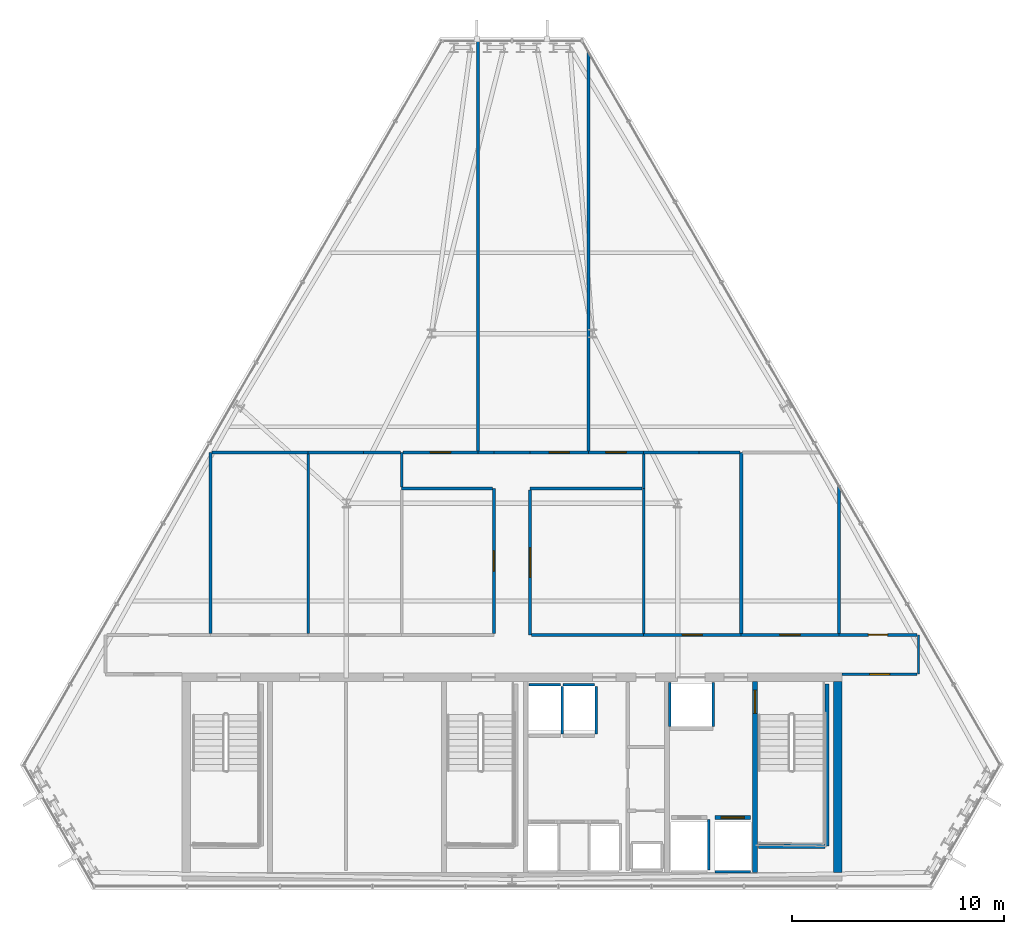
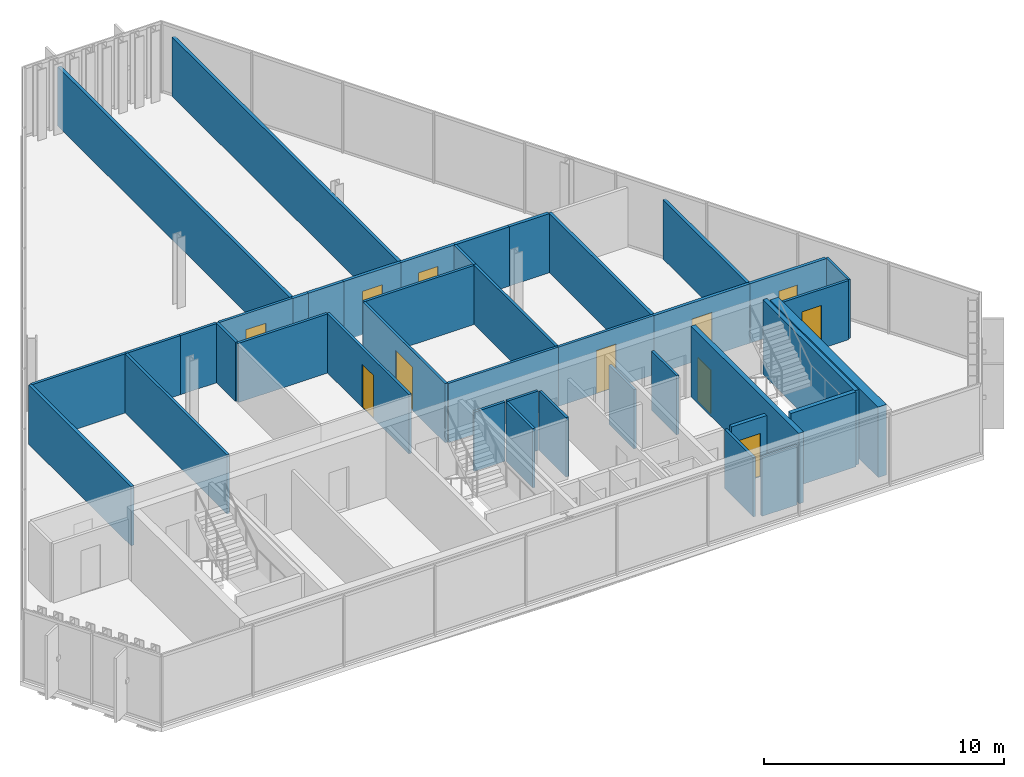
# One storey, part 25 of 29: 42 walls, 11 doors, 11 openings.
"""IFC4 building model written with IfcOpenShell, lengths in metres."""

from ifc_helpers import new_model, si_unit, direction, frame, frame_2d, origin, place, context, subcontext, project, spatial, rectangle, extrude, material, layer, layer_set, type_object, element, fill, save


model = new_model("IFC4")

# Units and contexts
model_context = context("Model", 3, precision=1e-05, world=origin(), true_north=direction((0.0, 1.0)))
body_context = subcontext(model_context, "Body", "Model", "MODEL_VIEW")
ifc_project = project(units=[si_unit("LENGTHUNIT", "METRE"), si_unit("AREAUNIT", "SQUARE_METRE"), si_unit("VOLUMEUNIT", "CUBIC_METRE"), si_unit("PLANEANGLEUNIT", "RADIAN"), si_unit("MASSUNIT", "GRAM", prefix="KILO")], contexts=[model_context])

# Site, building, storey
site_placement = place(None, origin())
site = spatial("IfcSite", under=ifc_project, at=site_placement, CompositionType="ELEMENT")
building_placement = place(site_placement, origin())
building = spatial("IfcBuilding", under=site, at=building_placement, Name="Ndaravel Arena Tower", CompositionType="ELEMENT")
storey_placement = place(building_placement, frame((0.0, 0.0, 244.60009765625)))
storey = spatial("IfcBuildingStorey", under=building, at=storey_placement, Name="L59", CompositionType="ELEMENT", Elevation=244.60009765625)

# Wall, opening, door
ifc_material_1 = material(Name="Concrete C50/60", Category="concrete")
ifc_layer_1 = layer(ifc_material_1, 0.219970703125)
ifc_layer_set_1 = layer_set([ifc_layer_1], Name="Concrete C50/60")
wall_type_1 = type_object("IfcWallType", Name="WALL-CORE-220", PredefinedType="SOLIDWALL", material=ifc_layer_set_1)
wall_1_placement = place(storey_placement, frame((53.449951171875, 5.800048828125, 0.0), z_axis=(0.0, 0.0, 1.0), x_axis=(0.0, 1.0, 0.0)))
wall_1 = element("IfcWall", 1, at=wall_1_placement, inside=storey, type_object=wall_type_1, Name="L59 Core Web Shear Wall 5", PredefinedType="SOLIDWALL", context=body_context, shape_type="SweptSolid", body=[
    extrude(rectangle(XDim=9.0, YDim=0.219970703125, at=frame_2d((4.5, 0.0))), origin(), (0.0, 0.0, 1.0), 3.579833984375),
])
opening_1_placement = place(wall_1_placement, frame((7.5, 0.0, 0.0)))
opening_1 = element("IfcOpeningElement", 2, at=opening_1_placement, cuts=wall_1, Name="Opening FD-01", PredefinedType="OPENING", context=body_context, shape_type="SweptSolid", body=[
    extrude(rectangle(XDim=1.10009765625, YDim=2.199951171875, at=frame_2d((0.550048828125, 1.10009765625))), frame((0.0, 0.10986328125, 0.0), z_axis=(0.0, -1.0, 0.0), x_axis=(1.0, 0.0, 0.0)), (0.0, 0.0, 1.0), 0.219970703125),
])
ifc_material_2 = material(Name="Steel S355", Category="steel")
door_type_1 = type_object("IfcDoorType", Name="DT-01-STAIR-1100", OperationType="SINGLE_SWING_LEFT", PredefinedType="DOOR", material=ifc_material_2)
door_1_placement = place(opening_1_placement, origin())
door_1 = element("IfcDoor", 3, at=door_1_placement, inside=storey, type_object=door_type_1, Name="L59 Firefighting Lobby to ST-3 Door", OperationType="SINGLE_SWING_LEFT", OverallHeight=2.199951171875, OverallWidth=1.10009765625, PredefinedType="DOOR", context=body_context, shape_type="SweptSolid", body=[
    extrude(rectangle(XDim=1.10009765625, YDim=2.199951171875, at=frame_2d((0.550048828125, 1.10009765625))), frame((0.0, 0.02490234375, 0.0), z_axis=(0.0, -1.0, 0.0), x_axis=(1.0, 0.0, 0.0)), (0.0, 0.0, 1.0), 0.050048828125),
])
fill(opening_1, door_1)

# Walls
ifc_material_3 = material(Name="Concrete C50/60", Category="concrete")
ifc_layer_2 = layer(ifc_material_3, 0.39990234375)
ifc_layer_set_2 = layer_set([ifc_layer_2], Name="Concrete C50/60")
wall_type_2 = type_object("IfcWallType", Name="WALL-CORE-400", PredefinedType="SOLIDWALL", material=ifc_layer_set_2)
wall_2_placement = place(storey_placement, frame((57.35009765625, 5.800048828125, 0.0), z_axis=(0.0, 0.0, 1.0), x_axis=(0.0, 1.0, 0.0)))
element("IfcWall", 4, at=wall_2_placement, inside=storey, type_object=wall_type_2, Name="L59 Core East Shear Wall", PredefinedType="SOLIDWALL", context=body_context, shape_type="SweptSolid", body=[
    extrude(rectangle(XDim=9.0, YDim=0.39990234375, at=frame_2d((4.5, 0.0))), origin(), (0.0, 0.0, 1.0), 3.579833984375),
])
ifc_material_4 = material(Name="Timber", Category="wood")
ifc_layer_3 = layer(ifc_material_4, 0.10009765625)
ifc_layer_set_3 = layer_set([ifc_layer_3], Name="Timber")
wall_type_3 = type_object("IfcWallType", Name="WALL-MOVABLE-100", PredefinedType="MOVABLE", material=ifc_layer_set_3)
wall_3_placement = place(storey_placement, frame((61.154052734375, 17.0, 0.0), z_axis=(0.0, 0.0, 1.0), x_axis=(0.0, -1.0, 0.0)))
element("IfcWall", 5, at=wall_3_placement, inside=storey, type_object=wall_type_3, Name="L59 Interior Partition 001", PredefinedType="MOVABLE", context=body_context, shape_type="SweptSolid", body=[
    extrude(rectangle(XDim=1.85009765625, YDim=0.10009765625, at=frame_2d((0.925048828125, 0.0))), origin(), (0.0, 0.0, 1.0), 3.010498046875),
])

# Wall, opening, door
ifc_material_5 = material(Name="Gypsum", Category="gypsum")
ifc_layer_4 = layer(ifc_material_5, 0.125)
ifc_layer_set_4 = layer_set([ifc_layer_4], Name="Gypsum")
wall_type_4 = type_object("IfcWallType", Name="WALL-PART-125", PredefinedType="PARTITIONING", material=ifc_layer_set_4)
wall_4_placement = place(storey_placement, frame((61.089111328125, 15.14990234375, 0.0), z_axis=(0.0, 0.0, 1.0), x_axis=(-1.0, 0.0, 0.0)))
wall_4 = element("IfcWall", 6, at=wall_4_placement, inside=storey, type_object=wall_type_4, Name="L59 Interior Partition 002", PredefinedType="PARTITIONING", context=body_context, shape_type="SweptSolid", body=[
    extrude(rectangle(XDim=3.5390625, YDim=0.125, at=frame_2d((1.76953125, 0.0))), origin(), (0.0, 0.0, 1.0), 3.010498046875),
])
opening_2_placement = place(wall_4_placement, frame((1.29443359375, 0.0, 0.0)))
opening_2 = element("IfcOpeningElement", 7, at=opening_2_placement, cuts=wall_4, Name="Opening ID-01", PredefinedType="OPENING", context=body_context, shape_type="SweptSolid", body=[
    extrude(rectangle(XDim=0.949951171875, YDim=2.199951171875, at=frame_2d((0.47509765625, 1.10009765625))), frame((0.0, 0.0625, 0.0), z_axis=(0.0, -1.0, 0.0), x_axis=(1.0, 0.0, 0.0)), (0.0, 0.0, 1.0), 0.125),
])
ifc_material_6 = material(Name="Timber", Category="wood")
door_type_2 = type_object("IfcDoorType", Name="DT-03-OFFICE-950", OperationType="SINGLE_SWING_LEFT", PredefinedType="DOOR", material=ifc_material_6)
door_2_placement = place(opening_2_placement, origin())
door_2 = element("IfcDoor", 8, at=door_2_placement, inside=storey, type_object=door_type_2, Name="L59 Quiet Reading Library Door", OperationType="SINGLE_SWING_LEFT", OverallHeight=2.199951171875, OverallWidth=0.949951171875, PredefinedType="DOOR", context=body_context, shape_type="SweptSolid", body=[
    extrude(rectangle(XDim=0.949951171875, YDim=2.199951171875, at=frame_2d((0.47509765625, 1.10009765625))), frame((0.0, 0.02490234375, 0.0), z_axis=(0.0, -1.0, 0.0), x_axis=(1.0, 0.0, 0.0)), (0.0, 0.0, 1.0), 0.050048828125),
])
fill(opening_2, door_2)

wall_5_placement = place(storey_placement, frame((41.14990234375, 17.06494140625, 0.0), z_axis=(0.0, 0.0, 1.0), x_axis=(0.0, 1.0, 0.0)))
wall_5 = element("IfcWall", 9, at=wall_5_placement, inside=storey, type_object=wall_type_4, Name="L59 Interior Partition 009", PredefinedType="PARTITIONING", context=body_context, shape_type="SweptSolid", body=[
    extrude(rectangle(XDim=6.8349609375, YDim=0.125, at=frame_2d((3.41748046875, 0.0))), origin(), (0.0, 0.0, 1.0), 3.010498046875),
])
opening_3_placement = place(wall_5_placement, frame((2.9423828125, 0.0, 0.0)))
opening_3 = element("IfcOpeningElement", 10, at=opening_3_placement, cuts=wall_5, Name="Opening ID-01", PredefinedType="OPENING", context=body_context, shape_type="SweptSolid", body=[
    extrude(rectangle(XDim=0.949951171875, YDim=2.199951171875, at=frame_2d((0.47509765625, 1.10009765625))), frame((0.0, 0.0625, 0.0), z_axis=(0.0, -1.0, 0.0), x_axis=(1.0, 0.0, 0.0)), (0.0, 0.0, 1.0), 0.125),
])
door_3_placement = place(opening_3_placement, origin())
door_3 = element("IfcDoor", 11, at=door_3_placement, inside=storey, type_object=door_type_2, Name="L59 Open Plan Workplace Door", OperationType="SINGLE_SWING_RIGHT", OverallHeight=2.199951171875, OverallWidth=0.949951171875, PredefinedType="DOOR", context=body_context, shape_type="SweptSolid", body=[
    extrude(rectangle(XDim=0.949951171875, YDim=2.199951171875, at=frame_2d((0.47509765625, 1.10009765625))), frame((0.0, 0.02490234375, 0.0), z_axis=(0.0, -1.0, 0.0), x_axis=(1.0, 0.0, 0.0)), (0.0, 0.0, 1.0), 0.050048828125),
])
fill(opening_3, door_3)

# Walls
wall_6_placement = place(storey_placement, frame((41.0849609375, 23.89990234375, 0.0), z_axis=(0.0, 0.0, 1.0), x_axis=(-1.0, 0.0, 0.0)))
element("IfcWall", 12, at=wall_6_placement, inside=storey, type_object=wall_type_4, Name="L59 Interior Partition 010", PredefinedType="PARTITIONING", context=body_context, shape_type="SweptSolid", body=[
    extrude(rectangle(XDim=4.284912109375, YDim=0.125, at=frame_2d((2.142578125, 0.0))), origin(), (0.0, 0.0, 1.0), 3.010498046875),
])
wall_7_placement = place(storey_placement, frame((36.800048828125, 23.965087890625, 0.0), z_axis=(0.0, 0.0, 1.0), x_axis=(0.0, 1.0, 0.0)))
element("IfcWall", 13, at=wall_7_placement, inside=storey, type_object=wall_type_4, Name="L59 Interior Partition 011", PredefinedType="PARTITIONING", context=body_context, shape_type="SweptSolid", body=[
    extrude(rectangle(XDim=1.635009765625, YDim=0.125, at=frame_2d((0.8173828125, 0.0))), origin(), (0.0, 0.0, 1.0), 3.010498046875),
])

# Wall, opening, door
wall_8_placement = place(storey_placement, frame((36.864990234375, 25.60009765625, 0.0), z_axis=(0.0, 0.0, 1.0), x_axis=(1.0, 0.0, 0.0)))
wall_8 = element("IfcWall", 14, at=wall_8_placement, inside=storey, type_object=wall_type_4, Name="L59 Interior Partition 012", PredefinedType="PARTITIONING", context=body_context, shape_type="SweptSolid", body=[
    extrude(rectangle(XDim=3.534912109375, YDim=0.125, at=frame_2d((1.767578125, 0.0))), origin(), (0.0, 0.0, 1.0), 3.010498046875),
])
opening_4_placement = place(wall_8_placement, frame((1.29248046875, 0.0, 0.0)))
opening_4 = element("IfcOpeningElement", 15, at=opening_4_placement, cuts=wall_8, Name="Opening ID-01", PredefinedType="OPENING", context=body_context, shape_type="SweptSolid", body=[
    extrude(rectangle(XDim=0.949951171875, YDim=2.199951171875, at=frame_2d((0.47509765625, 1.10009765625))), frame((0.0, 0.0625, 0.0), z_axis=(0.0, -1.0, 0.0), x_axis=(1.0, 0.0, 0.0)), (0.0, 0.0, 1.0), 0.125),
])
door_4_placement = place(opening_4_placement, origin())
door_4 = element("IfcDoor", 16, at=door_4_placement, inside=storey, type_object=door_type_2, Name="L59 Design Workshop 4 Door", OperationType="SINGLE_SWING_LEFT", OverallHeight=2.199951171875, OverallWidth=0.949951171875, PredefinedType="DOOR", context=body_context, shape_type="SweptSolid", body=[
    extrude(rectangle(XDim=0.949951171875, YDim=2.199951171875, at=frame_2d((0.47509765625, 1.10009765625))), frame((0.0, 0.02490234375, 0.0), z_axis=(0.0, -1.0, 0.0), x_axis=(1.0, 0.0, 0.0)), (0.0, 0.0, 1.0), 0.050048828125),
])
fill(opening_4, door_4)

# Walls
wall_9_placement = place(storey_placement, frame((48.199951171875, 25.534912109375, 0.0), z_axis=(0.0, 0.0, 1.0), x_axis=(0.0, -1.0, 0.0)))
element("IfcWall", 17, at=wall_9_placement, inside=storey, type_object=wall_type_4, Name="L59 Interior Partition 017", PredefinedType="PARTITIONING", context=body_context, shape_type="SweptSolid", body=[
    extrude(rectangle(XDim=1.635009765625, YDim=0.125, at=frame_2d((0.8173828125, 0.0))), origin(), (0.0, 0.0, 1.0), 3.010498046875),
])
wall_10_placement = place(storey_placement, frame((48.135009765625, 23.89990234375, 0.0), z_axis=(0.0, 0.0, 1.0), x_axis=(-1.0, 0.0, 0.0)))
element("IfcWall", 18, at=wall_10_placement, inside=storey, type_object=wall_type_4, Name="L59 Interior Partition 018", PredefinedType="PARTITIONING", context=body_context, shape_type="SweptSolid", body=[
    extrude(rectangle(XDim=5.284912109375, YDim=0.125, at=frame_2d((2.642578125, 0.0))), origin(), (0.0, 0.0, 1.0), 3.010498046875),
])

# Wall, opening, door
wall_11_placement = place(storey_placement, frame((42.85009765625, 23.8349609375, 0.0), z_axis=(0.0, 0.0, 1.0), x_axis=(0.0, -1.0, 0.0)))
wall_11 = element("IfcWall", 19, at=wall_11_placement, inside=storey, type_object=wall_type_4, Name="L59 Interior Partition 019", PredefinedType="PARTITIONING", context=body_context, shape_type="SweptSolid", body=[
    extrude(rectangle(XDim=6.8349609375, YDim=0.125, at=frame_2d((3.41748046875, 0.0))), origin(), (0.0, 0.0, 1.0), 3.010498046875),
])
opening_5_placement = place(wall_11_placement, frame((2.717529296875, 0.0, 0.0)))
opening_5 = element("IfcOpeningElement", 20, at=opening_5_placement, cuts=wall_11, Name="Opening ID-02", PredefinedType="OPENING", context=body_context, shape_type="SweptSolid", body=[
    extrude(rectangle(XDim=1.39990234375, YDim=2.199951171875, at=frame_2d((0.699951171875, 1.10009765625))), frame((0.0, 0.0625, 0.0), z_axis=(0.0, -1.0, 0.0), x_axis=(1.0, 0.0, 0.0)), (0.0, 0.0, 1.0), 0.125),
])
ifc_material_7 = material(Name="Timber", Category="wood")
door_type_3 = type_object("IfcDoorType", Name="DT-04-SUITE-1400", OperationType="DOUBLE_DOOR_SINGLE_SWING", PredefinedType="DOOR", material=ifc_material_7)
door_5_placement = place(opening_5_placement, origin())
door_5 = element("IfcDoor", 21, at=door_5_placement, inside=storey, type_object=door_type_3, Name="L59 Visitor Reception Desk Door", OperationType="SINGLE_SWING_LEFT", OverallHeight=2.199951171875, OverallWidth=1.39990234375, PredefinedType="DOOR", context=body_context, shape_type="SweptSolid", body=[
    extrude(rectangle(XDim=1.39990234375, YDim=2.199951171875, at=frame_2d((0.699951171875, 1.10009765625))), frame((0.0, 0.02490234375, 0.0), z_axis=(0.0, -1.0, 0.0), x_axis=(1.0, 0.0, 0.0)), (0.0, 0.0, 1.0), 0.050048828125),
])
fill(opening_5, door_5)

# Wall
wall_12_placement = place(storey_placement, frame((42.9150390625, 17.0, 0.0), z_axis=(0.0, 0.0, 1.0), x_axis=(1.0, 0.0, 0.0)))
element("IfcWall", 22, at=wall_12_placement, inside=storey, type_object=wall_type_4, Name="L59 Interior Partition 020", PredefinedType="PARTITIONING", context=body_context, shape_type="SweptSolid", body=[
    extrude(rectangle(XDim=5.284912109375, YDim=0.125, at=frame_2d((2.642578125, 0.0))), origin(), (0.0, 0.0, 1.0), 3.010498046875),
])

# Wall, opening, door
wall_13_placement = place(storey_placement, frame((48.199951171875, 17.0, 0.0), z_axis=(0.0, 0.0, 1.0), x_axis=(1.0, 0.0, 0.0)))
wall_13 = element("IfcWall", 23, at=wall_13_placement, inside=storey, type_object=wall_type_4, Name="L59 Interior Partition 021", PredefinedType="PARTITIONING", context=body_context, shape_type="SweptSolid", body=[
    extrude(rectangle(XDim=4.60009765625, YDim=0.125, at=frame_2d((2.300048828125, 0.0))), origin(), (0.0, 0.0, 1.0), 3.010498046875),
])
opening_6_placement = place(wall_13_placement, frame((1.824951171875, 0.0, 0.0)))
opening_6 = element("IfcOpeningElement", 24, at=opening_6_placement, cuts=wall_13, Name="Opening ID-01", PredefinedType="OPENING", context=body_context, shape_type="SweptSolid", body=[
    extrude(rectangle(XDim=0.949951171875, YDim=2.199951171875, at=frame_2d((0.47509765625, 1.10009765625))), frame((0.0, 0.0625, 0.0), z_axis=(0.0, -1.0, 0.0), x_axis=(1.0, 0.0, 0.0)), (0.0, 0.0, 1.0), 0.125),
])
door_6_placement = place(opening_6_placement, origin())
door_6 = element("IfcDoor", 25, at=door_6_placement, inside=storey, type_object=door_type_2, Name="L59 Media Cinema Room 3 Door", OperationType="SINGLE_SWING_LEFT", OverallHeight=2.199951171875, OverallWidth=0.949951171875, PredefinedType="DOOR", context=body_context, shape_type="SweptSolid", body=[
    extrude(rectangle(XDim=0.949951171875, YDim=2.199951171875, at=frame_2d((0.47509765625, 1.10009765625))), frame((0.0, 0.02490234375, 0.0), z_axis=(0.0, -1.0, 0.0), x_axis=(1.0, 0.0, 0.0)), (0.0, 0.0, 1.0), 0.050048828125),
])
fill(opening_6, door_6)

# Walls
wall_14_placement = place(storey_placement, frame((48.199951171875, 23.89990234375, 0.0), z_axis=(0.0, 0.0, 1.0), x_axis=(0.0, -1.0, 0.0)))
element("IfcWall", 26, at=wall_14_placement, inside=storey, type_object=wall_type_4, Name="L59 Interior Partition 027", PredefinedType="PARTITIONING", context=body_context, shape_type="SweptSolid", body=[
    extrude(rectangle(XDim=6.8349609375, YDim=0.125, at=frame_2d((3.41748046875, 0.0))), origin(), (0.0, 0.0, 1.0), 3.010498046875),
])
wall_15_placement = place(storey_placement, frame((27.864990234375, 25.60009765625, 0.0), z_axis=(0.0, 0.0, 1.0), x_axis=(1.0, 0.0, 0.0)))
element("IfcWall", 27, at=wall_15_placement, inside=storey, type_object=wall_type_4, Name="L59 Interior Partition 030", PredefinedType="PARTITIONING", context=body_context, shape_type="SweptSolid", body=[
    extrude(rectangle(XDim=4.534912109375, YDim=0.125, at=frame_2d((2.267578125, 0.0))), origin(), (0.0, 0.0, 1.0), 3.010498046875),
])
wall_16_placement = place(storey_placement, frame((32.39990234375, 25.534912109375, 0.0), z_axis=(0.0, 0.0, 1.0), x_axis=(0.0, -1.0, 0.0)))
element("IfcWall", 28, at=wall_16_placement, inside=storey, type_object=wall_type_4, Name="L59 Interior Partition 031", PredefinedType="PARTITIONING", context=body_context, shape_type="SweptSolid", body=[
    extrude(rectangle(XDim=8.469970703125, YDim=0.125, at=frame_2d((4.23486328125, 0.0))), origin(), (0.0, 0.0, 1.0), 3.010498046875),
])
wall_17_placement = place(storey_placement, frame((32.39990234375, 25.60009765625, 0.0), z_axis=(0.0, 0.0, 1.0), x_axis=(1.0, 0.0, 0.0)))
element("IfcWall", 29, at=wall_17_placement, inside=storey, type_object=wall_type_4, Name="L59 Interior Partition 032", PredefinedType="PARTITIONING", context=body_context, shape_type="SweptSolid", body=[
    extrude(rectangle(XDim=2.60009765625, YDim=0.125, at=frame_2d((1.300048828125, 0.0))), origin(), (0.0, 0.0, 1.0), 3.010498046875),
])
wall_18_placement = place(storey_placement, frame((35.0, 25.60009765625, 0.0), z_axis=(0.0, 0.0, 1.0), x_axis=(1.0, 0.0, 0.0)))
element("IfcWall", 30, at=wall_18_placement, inside=storey, type_object=wall_type_4, Name="L59 Interior Partition 033", PredefinedType="PARTITIONING", context=body_context, shape_type="SweptSolid", body=[
    extrude(rectangle(XDim=1.735107421875, YDim=0.125, at=frame_2d((0.86767578125, 0.0))), origin(), (0.0, 0.0, 1.0), 3.010498046875),
])
ifc_material_8 = material(Name="Concrete C40/50", Category="concrete")
ifc_layer_5 = layer(ifc_material_8, 0.1201171875)
ifc_layer_set_5 = layer_set([ifc_layer_5], Name="Concrete C40/50")
wall_type_5 = type_object("IfcWallType", Name="WALL-SHAFT-120", PredefinedType="SOLIDWALL", material=ifc_layer_set_5)
wall_19_placement = place(storey_placement, frame((42.804931640625, 14.659912109375, 0.0), z_axis=(0.0, 0.0, 1.0), x_axis=(1.0, 0.0, 0.0)))
element("IfcWall", 31, at=wall_19_placement, inside=storey, type_object=wall_type_5, Name="L59 PL-OBS1 Shaft Rear Wall", PredefinedType="SOLIDWALL", context=body_context, shape_type="SweptSolid", body=[
    extrude(rectangle(XDim=1.489990234375, YDim=0.1201171875, at=frame_2d((0.7451171875, 0.0))), origin(), (0.0, 0.0, 1.0), 3.010498046875),
])
wall_20_placement = place(storey_placement, frame((44.375, 12.340087890625, 0.0), z_axis=(0.0, 0.0, 1.0), x_axis=(0.0, 1.0, 0.0)))
element("IfcWall", 32, at=wall_20_placement, inside=storey, type_object=wall_type_5, Name="L59 PL-OBS1 Shaft Side R Wall", PredefinedType="SOLIDWALL", context=body_context, shape_type="SweptSolid", body=[
    extrude(rectangle(XDim=2.22998046875, YDim=0.1201171875, at=frame_2d((1.114990234375, 0.0))), origin(), (0.0, 0.0, 1.0), 3.010498046875),
])
wall_21_placement = place(storey_placement, frame((44.405029296875, 14.659912109375, 0.0), z_axis=(0.0, 0.0, 1.0), x_axis=(1.0, 0.0, 0.0)))
element("IfcWall", 33, at=wall_21_placement, inside=storey, type_object=wall_type_5, Name="L59 PL-OBS2 Shaft Rear Wall", PredefinedType="SOLIDWALL", context=body_context, shape_type="SweptSolid", body=[
    extrude(rectangle(XDim=1.489990234375, YDim=0.1201171875, at=frame_2d((0.7451171875, 0.0))), origin(), (0.0, 0.0, 1.0), 3.010498046875),
])
wall_22_placement = place(storey_placement, frame((45.97509765625, 12.340087890625, 0.0), z_axis=(0.0, 0.0, 1.0), x_axis=(0.0, 1.0, 0.0)))
element("IfcWall", 34, at=wall_22_placement, inside=storey, type_object=wall_type_5, Name="L59 PL-OBS2 Shaft Side R Wall", PredefinedType="SOLIDWALL", context=body_context, shape_type="SweptSolid", body=[
    extrude(rectangle(XDim=2.22998046875, YDim=0.1201171875, at=frame_2d((1.114990234375, 0.0))), origin(), (0.0, 0.0, 1.0), 3.010498046875),
])
wall_23_placement = place(storey_placement, frame((51.27490234375, 5.929931640625, 0.0), z_axis=(0.0, 0.0, 1.0), x_axis=(0.0, 1.0, 0.0)))
element("IfcWall", 35, at=wall_23_placement, inside=storey, type_object=wall_type_5, Name="L59 FFL-1 Shaft Side R Wall", PredefinedType="SOLIDWALL", context=body_context, shape_type="SweptSolid", body=[
    extrude(rectangle(XDim=2.380126953125, YDim=0.1201171875, at=frame_2d((1.18994140625, 0.0))), origin(), (0.0, 0.0, 1.0), 3.010498046875),
])
wall_24_placement = place(storey_placement, frame((51.554931640625, 5.840087890625, 0.0), z_axis=(0.0, 0.0, 1.0), x_axis=(1.0, 0.0, 0.0)))
element("IfcWall", 36, at=wall_24_placement, inside=storey, type_object=wall_type_5, Name="L59 FFL-2 Shaft Rear Wall", PredefinedType="SOLIDWALL", context=body_context, shape_type="SweptSolid", body=[
    extrude(rectangle(XDim=1.690185546875, YDim=0.1201171875, at=frame_2d((0.84521484375, 0.0))), origin(), (0.0, 0.0, 1.0), 3.010498046875),
])
for number, where, z_axis, x_axis, name in (
    (37, (49.43994140625, 12.68994140625, 0.0), (0.0, 0.0, 1.0), (0.0, 1.0, 0.0), "L59 SVL-1 Shaft W Wall"),
    (38, (51.47998046875, 12.68994140625, 0.0), (0.0, 0.0, 1.0), (0.0, 1.0, 0.0), "L59 SVL-1 Shaft E Wall"),
):
    element("IfcWall", number, at=place(storey_placement, frame(where, z_axis=z_axis, x_axis=x_axis)), inside=storey, type_object=wall_type_5, Name=name, PredefinedType="SOLIDWALL", context=body_context, shape_type="SweptSolid", body=[
        extrude(rectangle(XDim=2.070068359375, YDim=0.1201171875, at=frame_2d((1.03515625, 0.0))), origin(), (0.0, 0.0, 1.0), 3.010498046875),
    ])
ifc_material_9 = material(Name="Concrete C40/50", Category="concrete")
ifc_layer_6 = layer(ifc_material_9, 0.199951171875)
ifc_layer_set_6 = layer_set([ifc_layer_6], Name="Concrete C40/50")
wall_type_6 = type_object("IfcWallType", Name="WALL-SHAFT-200", PredefinedType="SOLIDWALL", material=ifc_layer_set_6)
wall_25_placement = place(storey_placement, frame((56.840087890625, 14.699951171875, 0.0), z_axis=(0.0, 0.0, 1.0), x_axis=(0.0, -1.0, 0.0)))
element("IfcWall", 39, at=wall_25_placement, inside=storey, type_object=wall_type_6, Name="L59 ST-3 Structural Shaft Wall Right", PredefinedType="SOLIDWALL", context=body_context, shape_type="SweptSolid", body=[
    extrude(rectangle(XDim=7.64990234375, YDim=0.199951171875, at=frame_2d((3.824951171875, 0.0))), origin(), (0.0, 0.0, 1.0), 3.7998046875),
])
wall_26_placement = place(storey_placement, frame((53.6201171875, 7.050048828125, 0.0), z_axis=(0.0, 0.0, 1.0), x_axis=(1.0, 0.0, 0.0)))
element("IfcWall", 40, at=wall_26_placement, inside=storey, type_object=wall_type_6, Name="L59 ST-3 Structural Shaft Wall Far", PredefinedType="SOLIDWALL", context=body_context, shape_type="SweptSolid", body=[
    extrude(rectangle(XDim=3.114990234375, YDim=0.199951171875, at=frame_2d((1.5576171875, 0.0))), origin(), (0.0, 0.0, 1.0), 3.7998046875),
])

# Wall, opening, door
wall_27_placement = place(storey_placement, frame((51.554931640625, 8.39990234375, 0.0), z_axis=(0.0, 0.0, 1.0), x_axis=(1.0, 0.0, 0.0)))
wall_27 = element("IfcWall", 41, at=wall_27_placement, inside=storey, type_object=wall_type_6, Name="L59 FFL-2 Shaft Landing Wall", PredefinedType="SOLIDWALL", context=body_context, shape_type="SweptSolid", body=[
    extrude(rectangle(XDim=1.690185546875, YDim=0.179931640625, at=frame_2d((0.84521484375, 0.0))), origin(), (0.0, 0.0, 1.0), 3.010498046875),
])
opening_7_placement = place(wall_27_placement, frame((0.294921875, 0.0, 0.0)))
opening_7 = element("IfcOpeningElement", 42, at=opening_7_placement, cuts=wall_27, Name="Opening LD-01", PredefinedType="OPENING", context=body_context, shape_type="SweptSolid", body=[
    extrude(rectangle(XDim=1.10009765625, YDim=2.199951171875, at=frame_2d((0.550048828125, 1.10009765625))), frame((0.0, 0.08984375, 0.0), z_axis=(0.0, -1.0, 0.0), x_axis=(1.0, 0.0, 0.0)), (0.0, 0.0, 1.0), 0.179931640625),
])
ifc_material_10 = material(Name="Steel S355", Category="steel")
door_type_4 = type_object("IfcDoorType", Name="DT-06-LIFT-1100", OperationType="SLIDING_TO_LEFT", PredefinedType="DOOR", material=ifc_material_10)
door_7_placement = place(opening_7_placement, origin())
door_7 = element("IfcDoor", 43, at=door_7_placement, inside=storey, type_object=door_type_4, Name="L59 Lift FFL-2 Sliding Landing Door", OperationType="SLIDING_TO_LEFT", OverallHeight=2.199951171875, OverallWidth=1.10009765625, PredefinedType="DOOR", context=body_context, shape_type="SweptSolid", body=[
    extrude(rectangle(XDim=1.10009765625, YDim=2.199951171875, at=frame_2d((0.550048828125, 1.10009765625))), frame((0.0, 0.02490234375, 0.0), z_axis=(0.0, -1.0, 0.0), x_axis=(1.0, 0.0, 0.0)), (0.0, 0.0, 1.0), 0.050048828125),
])
fill(opening_7, door_7)

# Walls
ifc_material_11 = material(Name="Masonry", Category="masonry")
ifc_layer_7 = layer(ifc_material_11, 0.14990234375)
ifc_layer_set_7 = layer_set([ifc_layer_7], Name="Masonry")
wall_type_7 = type_object("IfcWallType", Name="WALL-WET-150", PredefinedType="PARTITIONING", material=ifc_layer_set_7)
wall_28_placement = place(storey_placement, frame((40.39990234375, 25.60009765625, 0.0), z_axis=(0.0, 0.0, 1.0), x_axis=(1.0, 0.0, 0.0)))
element("IfcWall", 44, at=wall_28_placement, inside=storey, type_object=wall_type_7, Name="L59 Interior Partition 013", PredefinedType="PARTITIONING", context=body_context, shape_type="SweptSolid", body=[
    extrude(rectangle(XDim=0.75, YDim=0.14990234375, at=frame_2d((0.375, 0.0))), origin(), (0.0, 0.0, 1.0), 3.010498046875),
])
wall_29_placement = place(storey_placement, frame((41.14990234375, 25.60009765625, 0.0), z_axis=(0.0, 0.0, 1.0), x_axis=(1.0, 0.0, 0.0)))
element("IfcWall", 45, at=wall_29_placement, inside=storey, type_object=wall_type_7, Name="L59 Interior Partition 014", PredefinedType="PARTITIONING", context=body_context, shape_type="SweptSolid", body=[
    extrude(rectangle(XDim=1.7001953125, YDim=0.14990234375, at=frame_2d((0.85009765625, 0.0))), origin(), (0.0, 0.0, 1.0), 3.010498046875),
])

# Wall, opening, door
wall_30_placement = place(storey_placement, frame((42.85009765625, 25.60009765625, 0.0), z_axis=(0.0, 0.0, 1.0), x_axis=(1.0, 0.0, 0.0)))
wall_30 = element("IfcWall", 46, at=wall_30_placement, inside=storey, type_object=wall_type_7, Name="L59 Interior Partition 015", PredefinedType="PARTITIONING", context=body_context, shape_type="SweptSolid", body=[
    extrude(rectangle(XDim=2.75, YDim=0.14990234375, at=frame_2d((1.375, 0.0))), origin(), (0.0, 0.0, 1.0), 3.010498046875),
])
opening_8_placement = place(wall_30_placement, frame((0.89990234375, 0.0, 0.0)))
opening_8 = element("IfcOpeningElement", 47, at=opening_8_placement, cuts=wall_30, Name="Opening FD-03", PredefinedType="OPENING", context=body_context, shape_type="SweptSolid", body=[
    extrude(rectangle(XDim=0.949951171875, YDim=2.199951171875, at=frame_2d((0.47509765625, 1.10009765625))), frame((0.0, 0.074951171875, 0.0), z_axis=(0.0, -1.0, 0.0), x_axis=(1.0, 0.0, 0.0)), (0.0, 0.0, 1.0), 0.14990234375),
])
ifc_material_12 = material(Name="Steel S355", Category="steel")
door_type_5 = type_object("IfcDoorType", Name="DT-11-CORE-950", OperationType="SINGLE_SWING_LEFT", PredefinedType="DOOR", material=ifc_material_12)
door_8_placement = place(opening_8_placement, origin())
door_8 = element("IfcDoor", 48, at=door_8_placement, inside=storey, type_object=door_type_5, Name="L59 Staff Espresso Kitchen 5 Door", OperationType="SINGLE_SWING_RIGHT", OverallHeight=2.199951171875, OverallWidth=0.949951171875, PredefinedType="DOOR", context=body_context, shape_type="SweptSolid", body=[
    extrude(rectangle(XDim=0.949951171875, YDim=2.199951171875, at=frame_2d((0.47509765625, 1.10009765625))), frame((0.0, 0.02490234375, 0.0), z_axis=(0.0, -1.0, 0.0), x_axis=(1.0, 0.0, 0.0)), (0.0, 0.0, 1.0), 0.050048828125),
])
fill(opening_8, door_8)

wall_31_placement = place(storey_placement, frame((45.60009765625, 25.60009765625, 0.0), z_axis=(0.0, 0.0, 1.0), x_axis=(1.0, 0.0, 0.0)))
wall_31 = element("IfcWall", 49, at=wall_31_placement, inside=storey, type_object=wall_type_7, Name="L59 Interior Partition 016", PredefinedType="PARTITIONING", context=body_context, shape_type="SweptSolid", body=[
    extrude(rectangle(XDim=2.599853515625, YDim=0.14990234375, at=frame_2d((1.2998046875, 0.0))), origin(), (0.0, 0.0, 1.0), 3.010498046875),
])
opening_9_placement = place(wall_31_placement, frame((0.824951171875, 0.0, 0.0)))
opening_9 = element("IfcOpeningElement", 50, at=opening_9_placement, cuts=wall_31, Name="Opening FD-03", PredefinedType="OPENING", context=body_context, shape_type="SweptSolid", body=[
    extrude(rectangle(XDim=0.949951171875, YDim=2.199951171875, at=frame_2d((0.47509765625, 1.10009765625))), frame((0.0, 0.074951171875, 0.0), z_axis=(0.0, -1.0, 0.0), x_axis=(1.0, 0.0, 0.0)), (0.0, 0.0, 1.0), 0.14990234375),
])
door_9_placement = place(opening_9_placement, origin())
door_9 = element("IfcDoor", 51, at=door_9_placement, inside=storey, type_object=door_type_5, Name="L59 Floor Servery Kitchen 4 Door", OperationType="SINGLE_SWING_RIGHT", OverallHeight=2.199951171875, OverallWidth=0.949951171875, PredefinedType="DOOR", context=body_context, shape_type="SweptSolid", body=[
    extrude(rectangle(XDim=0.949951171875, YDim=2.199951171875, at=frame_2d((0.47509765625, 1.10009765625))), frame((0.0, 0.02490234375, 0.0), z_axis=(0.0, -1.0, 0.0), x_axis=(1.0, 0.0, 0.0)), (0.0, 0.0, 1.0), 0.050048828125),
])
fill(opening_9, door_9)

wall_32_placement = place(storey_placement, frame((52.800048828125, 17.0, 0.0), z_axis=(0.0, 0.0, 1.0), x_axis=(1.0, 0.0, 0.0)))
wall_32 = element("IfcWall", 52, at=wall_32_placement, inside=storey, type_object=wall_type_7, Name="L59 Interior Partition 022", PredefinedType="PARTITIONING", context=body_context, shape_type="SweptSolid", body=[
    extrude(rectangle(XDim=4.599853515625, YDim=0.14990234375, at=frame_2d((2.2998046875, 0.0))), origin(), (0.0, 0.0, 1.0), 3.010498046875),
])
opening_10_placement = place(wall_32_placement, frame((1.824951171875, 0.0, 0.0)))
opening_10 = element("IfcOpeningElement", 53, at=opening_10_placement, cuts=wall_32, Name="Opening FD-03", PredefinedType="OPENING", context=body_context, shape_type="SweptSolid", body=[
    extrude(rectangle(XDim=0.949951171875, YDim=2.199951171875, at=frame_2d((0.47509765625, 1.10009765625))), frame((0.0, 0.074951171875, 0.0), z_axis=(0.0, -1.0, 0.0), x_axis=(1.0, 0.0, 0.0)), (0.0, 0.0, 1.0), 0.14990234375),
])
door_10_placement = place(opening_10_placement, origin())
door_10 = element("IfcDoor", 54, at=door_10_placement, inside=storey, type_object=door_type_5, Name="L59 Catering Pantry 2 Door", OperationType="SINGLE_SWING_RIGHT", OverallHeight=2.199951171875, OverallWidth=0.949951171875, PredefinedType="DOOR", context=body_context, shape_type="SweptSolid", body=[
    extrude(rectangle(XDim=0.949951171875, YDim=2.199951171875, at=frame_2d((0.47509765625, 1.10009765625))), frame((0.0, 0.02490234375, 0.0), z_axis=(0.0, -1.0, 0.0), x_axis=(1.0, 0.0, 0.0)), (0.0, 0.0, 1.0), 0.050048828125),
])
fill(opening_10, door_10)

wall_33_placement = place(storey_placement, frame((57.39990234375, 17.0, 0.0), z_axis=(0.0, 0.0, 1.0), x_axis=(1.0, 0.0, 0.0)))
wall_33 = element("IfcWall", 55, at=wall_33_placement, inside=storey, type_object=wall_type_7, Name="L59 Interior Partition 023", PredefinedType="PARTITIONING", context=body_context, shape_type="SweptSolid", body=[
    extrude(rectangle(XDim=3.689208984375, YDim=0.14990234375, at=frame_2d((1.8447265625, 0.0))), origin(), (0.0, 0.0, 1.0), 3.010498046875),
])
opening_11_placement = place(wall_33_placement, frame((1.39453125, 0.0, 0.0)))
opening_11 = element("IfcOpeningElement", 56, at=opening_11_placement, cuts=wall_33, Name="Opening WD-01", PredefinedType="OPENING", context=body_context, shape_type="SweptSolid", body=[
    extrude(rectangle(XDim=0.89990234375, YDim=2.14990234375, at=frame_2d((0.449951171875, 1.074951171875))), frame((0.0, 0.074951171875, 0.0), z_axis=(0.0, -1.0, 0.0), x_axis=(1.0, 0.0, 0.0)), (0.0, 0.0, 1.0), 0.14990234375),
])
ifc_material_13 = material(Name="Timber", Category="wood")
door_type_6 = type_object("IfcDoorType", Name="DT-05-WC-900", OperationType="SINGLE_SWING_LEFT", PredefinedType="DOOR", material=ifc_material_13)
door_11_placement = place(opening_11_placement, origin())
door_11 = element("IfcDoor", 57, at=door_11_placement, inside=storey, type_object=door_type_6, Name="L59 Male Staff & Visitor Restroom Door", OperationType="SINGLE_SWING_RIGHT", OverallHeight=2.14990234375, OverallWidth=0.89990234375, PredefinedType="DOOR", context=body_context, shape_type="SweptSolid", body=[
    extrude(rectangle(XDim=0.89990234375, YDim=2.14990234375, at=frame_2d((0.449951171875, 1.074951171875))), frame((0.0, 0.02490234375, 0.0), z_axis=(0.0, -1.0, 0.0), x_axis=(1.0, 0.0, 0.0)), (0.0, 0.0, 1.0), 0.050048828125),
])
fill(opening_11, door_11)

# Walls
wall_34_placement = place(storey_placement, frame((57.39990234375, 17.06494140625, 0.0), z_axis=(0.0, 0.0, 1.0), x_axis=(0.0, 1.0, 0.0)))
element("IfcWall", 58, at=wall_34_placement, inside=storey, type_object=wall_type_7, Name="L59 Interior Partition 024", PredefinedType="PARTITIONING", context=body_context, shape_type="SweptSolid", body=[
    extrude(rectangle(XDim=6.97314453125, YDim=0.14990234375, at=frame_2d((3.486572265625, 0.0))), origin(), (0.0, 0.0, 1.0), 3.010498046875),
])
for number, where, z_axis, x_axis, name in (
    (59, (27.800048828125, 25.60009765625, 0.0), (0.0, 0.0, 1.0), (0.0, -1.0, 0.0), "L59 Interior Partition 025"),
    (60, (52.800048828125, 17.06494140625, 0.0), (0.0, 0.0, 1.0), (0.0, 1.0, 0.0), "L59 Interior Partition 028"),
):
    element("IfcWall", number, at=place(storey_placement, frame(where, z_axis=z_axis, x_axis=x_axis)), inside=storey, type_object=wall_type_7, Name=name, PredefinedType="PARTITIONING", context=body_context, shape_type="SweptSolid", body=[
        extrude(rectangle(XDim=8.53515625, YDim=0.14990234375, at=frame_2d((4.267578125, 0.0))), origin(), (0.0, 0.0, 1.0), 3.010498046875),
    ])
wall_35_placement = place(storey_placement, frame((48.199951171875, 25.60009765625, 0.0), z_axis=(0.0, 0.0, 1.0), x_axis=(1.0, 0.0, 0.0)))
element("IfcWall", 61, at=wall_35_placement, inside=storey, type_object=wall_type_7, Name="L59 Interior Partition 034", PredefinedType="PARTITIONING", context=body_context, shape_type="SweptSolid", body=[
    extrude(rectangle(XDim=2.60009765625, YDim=0.14990234375, at=frame_2d((1.300048828125, 0.0))), origin(), (0.0, 0.0, 1.0), 3.010498046875),
])
wall_36_placement = place(storey_placement, frame((50.800048828125, 25.60009765625, 0.0), z_axis=(0.0, 0.0, 1.0), x_axis=(1.0, 0.0, 0.0)))
element("IfcWall", 62, at=wall_36_placement, inside=storey, type_object=wall_type_7, Name="L59 Interior Partition 035", PredefinedType="PARTITIONING", context=body_context, shape_type="SweptSolid", body=[
    extrude(rectangle(XDim=1.93505859375, YDim=0.14990234375, at=frame_2d((0.967529296875, 0.0))), origin(), (0.0, 0.0, 1.0), 3.010498046875),
])
wall_37_placement = place(storey_placement, frame((45.60009765625, 25.6650390625, 0.0), z_axis=(0.0, 0.0, 1.0), x_axis=(0.0, 1.0, 0.0)))
element("IfcWall", 63, at=wall_37_placement, inside=storey, type_object=wall_type_7, Name="L59 Interior Partition 036", PredefinedType="PARTITIONING", context=body_context, shape_type="SweptSolid", body=[
    extrude(rectangle(XDim=18.811279296875, YDim=0.14990234375, at=frame_2d((9.40576171875, 0.0))), origin(), (0.0, 0.0, 1.0), 3.010498046875),
])
wall_38_placement = place(storey_placement, frame((40.39990234375, 44.989501953125, 0.0), z_axis=(0.0, 0.0, 1.0), x_axis=(0.0, -1.0, 0.0)))
element("IfcWall", 64, at=wall_38_placement, inside=storey, type_object=wall_type_7, Name="L59 Interior Partition 037", PredefinedType="PARTITIONING", context=body_context, shape_type="SweptSolid", body=[
    extrude(rectangle(XDim=19.324462890625, YDim=0.14990234375, at=frame_2d((9.662109375, 0.0))), origin(), (0.0, 0.0, 1.0), 3.010498046875),
])

save(model, "model.ifc")
